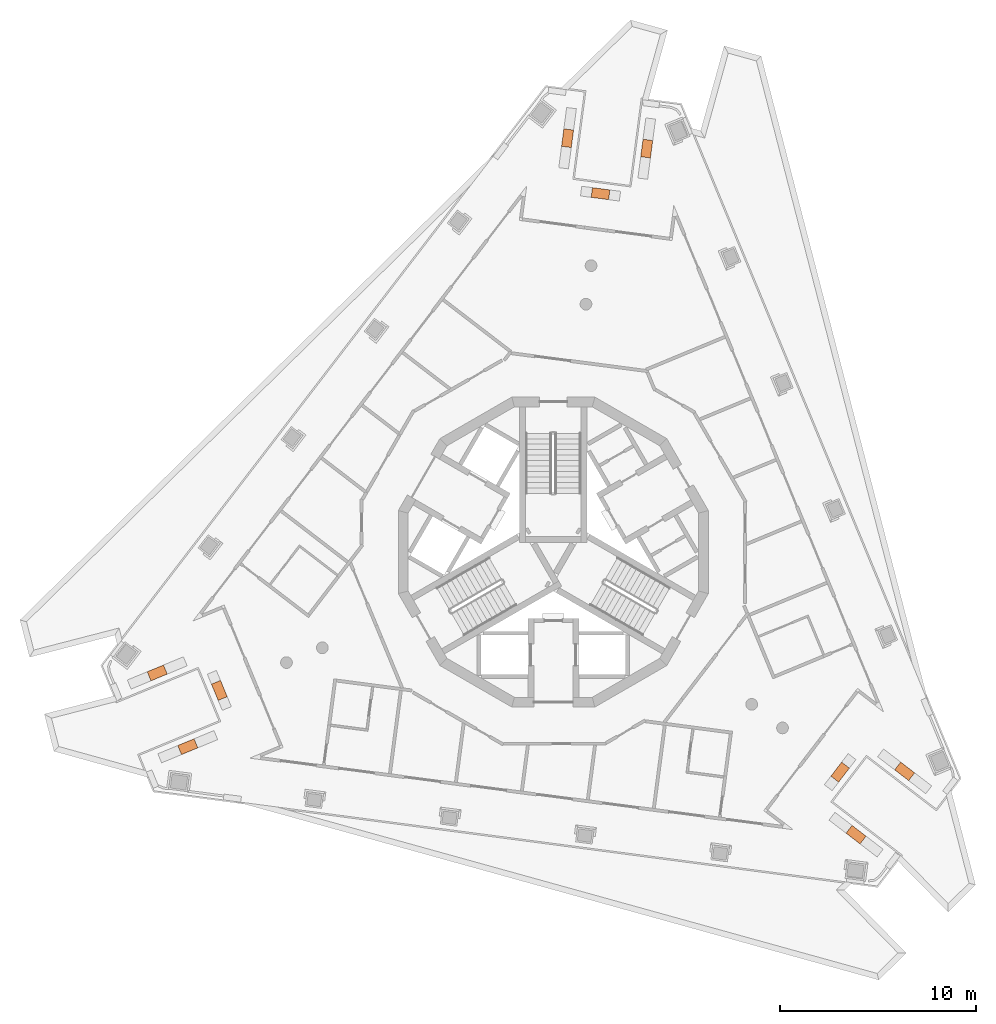
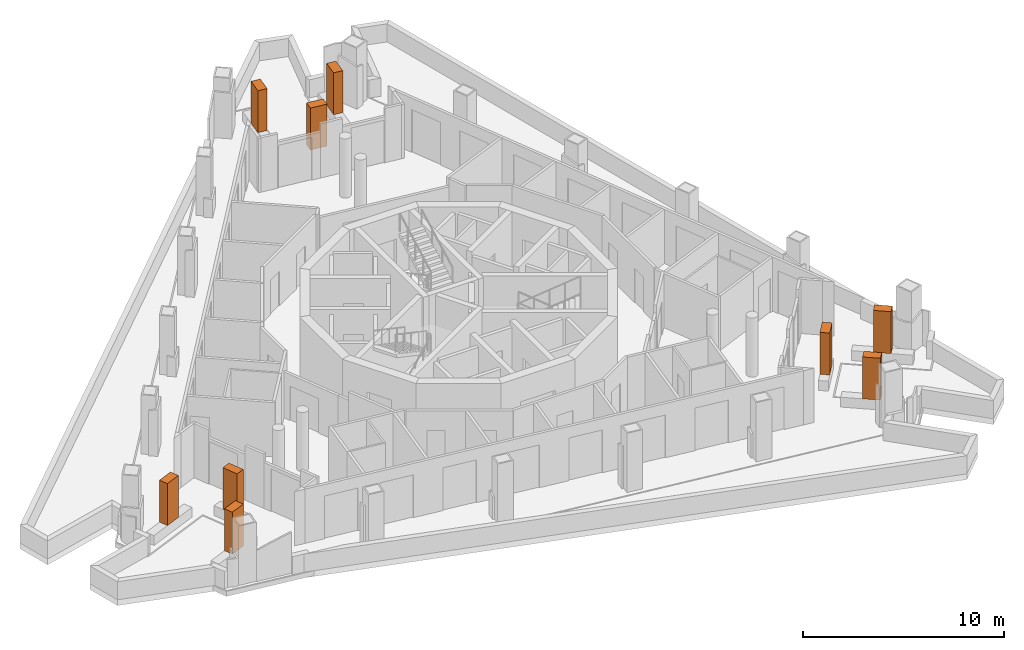
# One storey, part 12 of 12: 9 geographic elements.
"""IFC4 building model written with IfcOpenShell, lengths in metres."""

from ifc_helpers import new_model, si_unit, direction, frame, origin, origin_2d, place, context, subcontext, project, spatial, rectangle, extrude, element, save


model = new_model("IFC4")

# Units and contexts
model_context = context("Model", 3, precision=1e-05, world=origin(), true_north=direction((0.0, 1.0)))
body_context = subcontext(model_context, "Body", "Model", "MODEL_VIEW")
ifc_project = project(units=[si_unit("LENGTHUNIT", "METRE"), si_unit("AREAUNIT", "SQUARE_METRE"), si_unit("VOLUMEUNIT", "CUBIC_METRE"), si_unit("PLANEANGLEUNIT", "RADIAN"), si_unit("MASSUNIT", "GRAM", prefix="KILO")], contexts=[model_context])

# Site, building, storey
site_placement = place(None, origin())
site = spatial("IfcSite", under=ifc_project, at=site_placement, CompositionType="ELEMENT")
building_placement = place(site_placement, origin())
building = spatial("IfcBuilding", under=site, at=building_placement, Name="Trine Commons Tower", CompositionType="ELEMENT")
storey_placement = place(building_placement, frame((0.0, 0.0, 271.800048828125)))
storey = spatial("IfcBuildingStorey", under=building, at=storey_placement, Name="L71", CompositionType="ELEMENT", Elevation=271.800048828125)

# Geographic elements
for number, where, z_axis, x_axis, name in (
    (1, (61.31982421875, 52.554443359375, 0.60009765625), (0.0, 0.0, 1.0), (0.923885543575, 0.382668920052, 0.0), "Tree 1.1"),
    (2, (62.93212890625, 55.430419921875, 0.60009765625), (0.0, 0.0, 1.0), (-0.382688269782, 0.923877528773, 0.0), "Tree 2.1"),
    (3, (59.758544921875, 56.32373046875, 0.60009765625), (0.0, 0.0, 1.0), (-0.923885543575, -0.382668920052, 0.0), "Tree 3.1"),
    (4, (80.726806640625, 83.650146484375, 0.60009765625), (0.0, 0.0, 1.0), (-0.130514079426, -0.991446455978, 0.0), "Tree 4.1"),
    (5, (82.411376953125, 80.816162109375, 0.60009765625), (0.0, 0.0, 1.0), (0.991442583111, -0.130543496177, 0.0), "Tree 5.1"),
    (6, (84.77197265625, 83.11767578125, 0.60009765625), (0.0, 0.0, 1.0), (0.130517540226, 0.991446000392, 0.0), "Tree 6.1"),
    (7, (97.953125, 51.29541015625, 0.60009765625), (0.0, 0.0, 1.0), (-0.793348027815, 0.6087683523, 0.0), "Tree 7.1"),
    (8, (94.656494140625, 51.253662109375, 0.60009765625), (0.0, 0.0, 1.0), (-0.608764198331, -0.793351215308, 0.0), "Tree 8.1"),
    (9, (95.469482421875, 48.05859375, 0.60009765625), (0.0, 0.0, 1.0), (0.793348027815, -0.6087683523, 0.0), "Tree 9.1"),
):
    element("IfcGeographicElement", number, at=place(storey_placement, frame(where, z_axis=z_axis, x_axis=x_axis)), inside=storey, Name=name, ObjectType="TREE Tabebuia rosea", PredefinedType="USERDEFINED", context=body_context, shape_type="SweptSolid", body=[
        extrude(rectangle(XDim=0.89990234375, YDim=0.5, at=origin_2d()), origin(), (0.0, 0.0, 1.0), 2.550048828125),
    ])

save(model, "model.ifc")
